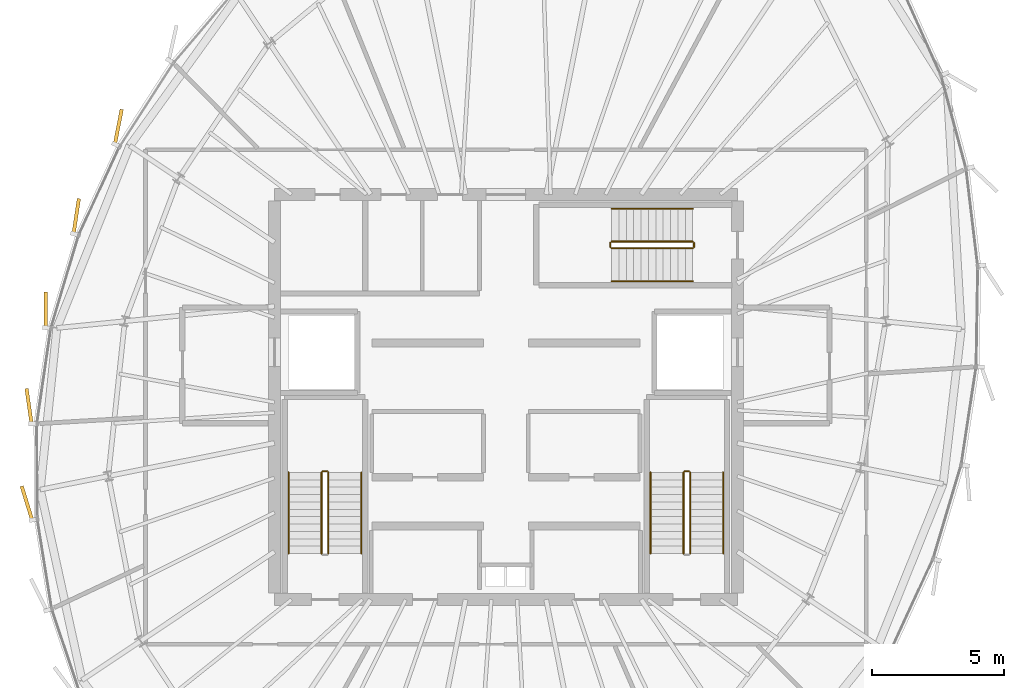
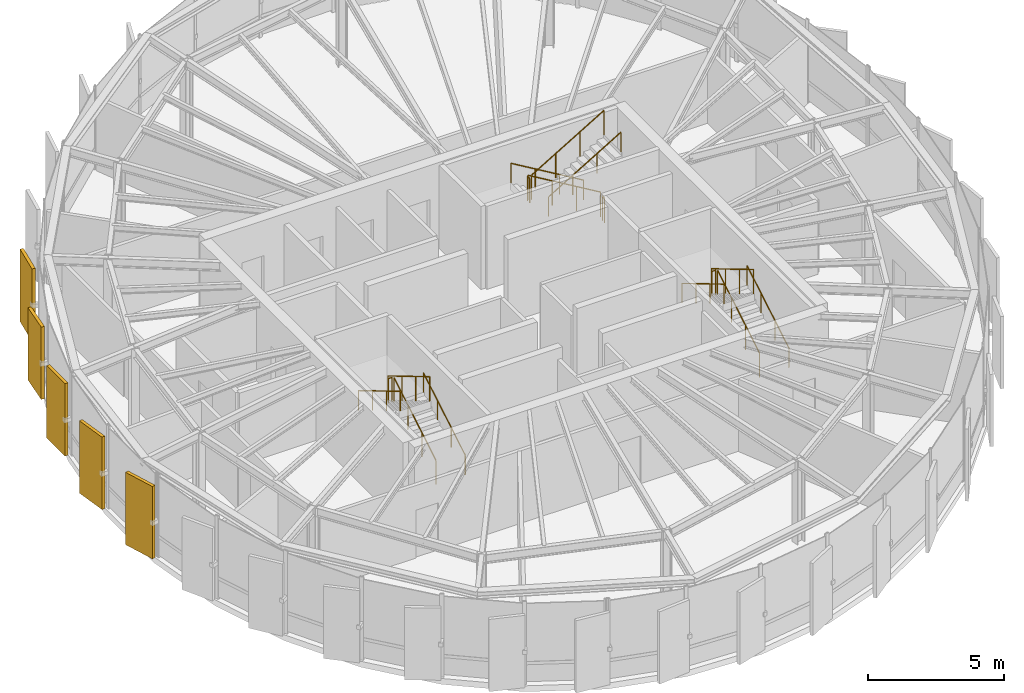
# One storey, part 26 of 27: 16 railings, 5 coverings.
"""IFC4 building model written with IfcOpenShell, lengths in metres."""

from ifc_helpers import new_model, si_unit, direction, frame, origin, origin_2d, place, context, subcontext, project, spatial, rectangle, circle, extrude, source, transform, mapped, material, layer, layer_set, type_object, element, save


model = new_model("IFC4")

# Units and contexts
model_context = context("Model", 3, precision=1e-05, world=origin(), true_north=direction((0.0, 1.0)))
body_context = subcontext(model_context, "Body", "Model", "MODEL_VIEW")
ifc_project = project(units=[si_unit("LENGTHUNIT", "METRE"), si_unit("AREAUNIT", "SQUARE_METRE"), si_unit("VOLUMEUNIT", "CUBIC_METRE"), si_unit("PLANEANGLEUNIT", "RADIAN"), si_unit("MASSUNIT", "GRAM", prefix="KILO"), si_unit("THERMODYNAMICTEMPERATUREUNIT", "KELVIN")], contexts=[model_context])

# Site, building, storey
site_placement = place(None, origin())
site = spatial("IfcSite", under=ifc_project, at=site_placement, CompositionType="ELEMENT")
building_placement = place(site_placement, origin())
building = spatial("IfcBuilding", under=site, at=building_placement, Name="Kethvar Cultural Tower", CompositionType="ELEMENT")
storey_placement = place(building_placement, frame((0.0, 0.0, 312.300048828125)))
storey = spatial("IfcBuildingStorey", under=building, at=storey_placement, Name="L83", CompositionType="ELEMENT", Elevation=312.300048828125)

# Railings
ifc_material_1 = material(Name="Steel S355J2", Category="steel")
railing_type_1 = type_object("IfcRailingType", Name="RL-STAIR-GUARD", PredefinedType="BALUSTRADE", material=ifc_material_1)
railing_1_placement = place(storey_placement, frame((40.050048828125, 21.85009765625, 0.16650390625)))
element("IfcRailing", 1, at=railing_1_placement, inside=storey, type_object=railing_type_1, Name="L83 ST-01 stair guard 1", PredefinedType="BALUSTRADE", context=body_context, shape_type="SweptSolid", body=[
    extrude(circle(Radius=0.02392578125, at=origin_2d()), frame((0.0, 0.0, 1.09619140625), z_axis=(0.0, 0.859260807169, 0.511537745687), x_axis=(-1.0, 0.0, 0.0)), (0.0, 0.0, 1.0), 3.584228515625),
    extrude(circle(Radius=0.02099609375, at=origin_2d()), origin(), (0.0, 0.0, 1.0), 1.072021484375),
    extrude(circle(Radius=0.02099609375, at=origin_2d()), frame((0.0, 1.026611328125, 0.611083984375)), (0.0, 0.0, 1.0), 1.072021484375),
    extrude(circle(Radius=0.02099609375, at=origin_2d()), frame((0.0, 2.05322265625, 1.222412109375)), (0.0, 0.0, 1.0), 1.072021484375),
    extrude(circle(Radius=0.02099609375, at=origin_2d()), frame((0.0, 3.079833984375, 1.83349609375)), (0.0, 0.0, 1.0), 1.072021484375),
])
railing_2_placement = place(storey_placement, frame((40.0, 24.97998046875, 2.0)))
element("IfcRailing", 2, at=railing_2_placement, inside=storey, type_object=railing_type_1, Name="L83 ST-01 stair guard 2", PredefinedType="BALUSTRADE", context=body_context, shape_type="SweptSolid", body=[
    extrude(circle(Radius=0.02392578125, at=origin_2d()), frame((0.0, 0.0, 1.09619140625), z_axis=(-1.0, 0.0, 0.0), x_axis=(0.0, -1.0, 0.0)), (0.0, 0.0, 1.0), 0.159912109375),
    extrude(circle(Radius=0.02099609375, at=origin_2d()), origin(), (0.0, 0.0, 1.0), 1.072021484375),
    extrude(circle(Radius=0.02099609375, at=origin_2d()), frame((-0.159912109375, 0.0, 0.0)), (0.0, 0.0, 1.0), 1.072021484375),
])
railing_3_placement = place(storey_placement, frame((39.7900390625, 24.929931640625, 2.16650390625)))
element("IfcRailing", 3, at=railing_3_placement, inside=storey, type_object=railing_type_1, Name="L83 ST-01 stair guard 3", PredefinedType="BALUSTRADE", context=body_context, shape_type="SweptSolid", body=[
    extrude(circle(Radius=0.02392578125, at=origin_2d()), frame((0.0, 0.0, 1.09619140625), z_axis=(0.0, -0.859260807169, 0.511537745687), x_axis=(1.0, 0.0, 0.0)), (0.0, 0.0, 1.0), 3.584228515625),
    extrude(circle(Radius=0.02099609375, at=origin_2d()), origin(), (0.0, 0.0, 1.0), 1.072021484375),
    extrude(circle(Radius=0.02099609375, at=origin_2d()), frame((0.0, -1.026611328125, 0.611083984375)), (0.0, 0.0, 1.0), 1.072021484375),
    extrude(circle(Radius=0.02099609375, at=origin_2d()), frame((0.0, -2.05322265625, 1.222412109375)), (0.0, 0.0, 1.0), 1.072021484375),
    extrude(circle(Radius=0.02099609375, at=origin_2d()), frame((0.0, -3.079833984375, 1.83349609375)), (0.0, 0.0, 1.0), 1.072021484375),
])
railing_4_placement = place(storey_placement, frame((53.81005859375, 21.85009765625, 0.16650390625)))
element("IfcRailing", 4, at=railing_4_placement, inside=storey, type_object=railing_type_1, Name="L83 ST-02 stair guard 1", PredefinedType="BALUSTRADE", context=body_context, shape_type="SweptSolid", body=[
    extrude(circle(Radius=0.02392578125, at=origin_2d()), frame((0.0, 0.0, 1.09619140625), z_axis=(0.0, 0.859260807169, 0.511537745687), x_axis=(-1.0, 0.0, 0.0)), (0.0, 0.0, 1.0), 3.584228515625),
    extrude(circle(Radius=0.02099609375, at=origin_2d()), origin(), (0.0, 0.0, 1.0), 1.072021484375),
    extrude(circle(Radius=0.02099609375, at=origin_2d()), frame((0.0, 1.026611328125, 0.611083984375)), (0.0, 0.0, 1.0), 1.072021484375),
    extrude(circle(Radius=0.02099609375, at=origin_2d()), frame((0.0, 2.05322265625, 1.222412109375)), (0.0, 0.0, 1.0), 1.072021484375),
    extrude(circle(Radius=0.02099609375, at=origin_2d()), frame((0.0, 3.079833984375, 1.83349609375)), (0.0, 0.0, 1.0), 1.072021484375),
])
railing_5_placement = place(storey_placement, frame((53.760009765625, 24.97998046875, 2.0)))
element("IfcRailing", 5, at=railing_5_placement, inside=storey, type_object=railing_type_1, Name="L83 ST-02 stair guard 2", PredefinedType="BALUSTRADE", context=body_context, shape_type="SweptSolid", body=[
    extrude(circle(Radius=0.02392578125, at=origin_2d()), frame((0.0, 0.0, 1.09619140625), z_axis=(-1.0, 0.0, 0.0), x_axis=(0.0, -1.0, 0.0)), (0.0, 0.0, 1.0), 0.159912109375),
    extrude(circle(Radius=0.02099609375, at=origin_2d()), origin(), (0.0, 0.0, 1.0), 1.072021484375),
    extrude(circle(Radius=0.02099609375, at=origin_2d()), frame((-0.159912109375, 0.0, 0.0)), (0.0, 0.0, 1.0), 1.072021484375),
])
railing_6_placement = place(storey_placement, frame((53.550048828125, 24.929931640625, 2.16650390625)))
element("IfcRailing", 6, at=railing_6_placement, inside=storey, type_object=railing_type_1, Name="L83 ST-02 stair guard 3", PredefinedType="BALUSTRADE", context=body_context, shape_type="SweptSolid", body=[
    extrude(circle(Radius=0.02392578125, at=origin_2d()), frame((0.0, 0.0, 1.09619140625), z_axis=(0.0, -0.859260807169, 0.511537745687), x_axis=(1.0, 0.0, 0.0)), (0.0, 0.0, 1.0), 3.584228515625),
    extrude(circle(Radius=0.02099609375, at=origin_2d()), origin(), (0.0, 0.0, 1.0), 1.072021484375),
    extrude(circle(Radius=0.02099609375, at=origin_2d()), frame((0.0, -1.026611328125, 0.611083984375)), (0.0, 0.0, 1.0), 1.072021484375),
    extrude(circle(Radius=0.02099609375, at=origin_2d()), frame((0.0, -2.05322265625, 1.222412109375)), (0.0, 0.0, 1.0), 1.072021484375),
    extrude(circle(Radius=0.02099609375, at=origin_2d()), frame((0.0, -3.079833984375, 1.83349609375)), (0.0, 0.0, 1.0), 1.072021484375),
])
railing_7_placement = place(storey_placement, frame((53.89990234375, 33.7099609375, 0.16650390625)))
element("IfcRailing", 7, at=railing_7_placement, inside=storey, type_object=railing_type_1, Name="L83 ST-03 stair guard 1", PredefinedType="BALUSTRADE", context=body_context, shape_type="SweptSolid", body=[
    extrude(circle(Radius=0.02392578125, at=origin_2d()), frame((0.0, 0.0, 1.09619140625), z_axis=(-0.859260807169, 0.0, 0.511537745687), x_axis=(0.0, -1.0, 0.0)), (0.0, 0.0, 1.0), 3.584228515625),
    extrude(circle(Radius=0.02099609375, at=origin_2d()), origin(), (0.0, 0.0, 1.0), 1.072021484375),
    extrude(circle(Radius=0.02099609375, at=origin_2d()), frame((-1.026611328125, 0.0, 0.611083984375)), (0.0, 0.0, 1.0), 1.072021484375),
    extrude(circle(Radius=0.02099609375, at=origin_2d()), frame((-2.05322265625, 0.0, 1.222412109375)), (0.0, 0.0, 1.0), 1.072021484375),
    extrude(circle(Radius=0.02099609375, at=origin_2d()), frame((-3.079833984375, 0.0, 1.83349609375)), (0.0, 0.0, 1.0), 1.072021484375),
])
railing_8_placement = place(storey_placement, frame((50.77001953125, 33.659912109375, 2.0)))
element("IfcRailing", 8, at=railing_8_placement, inside=storey, type_object=railing_type_1, Name="L83 ST-03 stair guard 2", PredefinedType="BALUSTRADE", context=body_context, shape_type="SweptSolid", body=[
    extrude(circle(Radius=0.02392578125, at=origin_2d()), frame((0.0, 0.0, 1.09619140625), z_axis=(0.0, -1.0, 0.0), x_axis=(1.0, 0.0, 0.0)), (0.0, 0.0, 1.0), 0.159912109375),
    extrude(circle(Radius=0.02099609375, at=origin_2d()), origin(), (0.0, 0.0, 1.0), 1.072021484375),
    extrude(circle(Radius=0.02099609375, at=origin_2d()), frame((0.0, -0.159912109375, 0.0)), (0.0, 0.0, 1.0), 1.072021484375),
])
railing_9_placement = place(storey_placement, frame((50.820068359375, 33.449951171875, 2.16650390625)))
element("IfcRailing", 9, at=railing_9_placement, inside=storey, type_object=railing_type_1, Name="L83 ST-03 stair guard 3", PredefinedType="BALUSTRADE", context=body_context, shape_type="SweptSolid", body=[
    extrude(circle(Radius=0.02392578125, at=origin_2d()), frame((0.0, 0.0, 1.09619140625), z_axis=(0.859260807169, 0.0, 0.511537745687), x_axis=(0.0, 1.0, 0.0)), (0.0, 0.0, 1.0), 3.584228515625),
    extrude(circle(Radius=0.02099609375, at=origin_2d()), origin(), (0.0, 0.0, 1.0), 1.072021484375),
    extrude(circle(Radius=0.02099609375, at=origin_2d()), frame((1.026611328125, 0.0, 0.611083984375)), (0.0, 0.0, 1.0), 1.072021484375),
    extrude(circle(Radius=0.02099609375, at=origin_2d()), frame((2.05322265625, 0.0, 1.222412109375)), (0.0, 0.0, 1.0), 1.072021484375),
    extrude(circle(Radius=0.02099609375, at=origin_2d()), frame((3.079833984375, 0.0, 1.83349609375)), (0.0, 0.0, 1.0), 1.072021484375),
])
railing_10_placement = place(storey_placement, frame((53.949951171875, 33.659912109375, 0.0)))
element("IfcRailing", 10, at=railing_10_placement, inside=storey, type_object=railing_type_1, Name="L83 ST-03 stair guard 4", PredefinedType="BALUSTRADE", context=body_context, shape_type="SweptSolid", body=[
    extrude(circle(Radius=0.02392578125, at=origin_2d()), frame((0.0, 0.0, 1.09619140625), z_axis=(0.0, -1.0, 0.0), x_axis=(1.0, 0.0, 0.0)), (0.0, 0.0, 1.0), 0.159912109375),
    extrude(circle(Radius=0.02099609375, at=origin_2d()), origin(), (0.0, 0.0, 1.0), 1.072021484375),
    extrude(circle(Radius=0.02099609375, at=origin_2d()), frame((0.0, -0.159912109375, 0.0)), (0.0, 0.0, 1.0), 1.072021484375),
])
railing_type_2 = type_object("IfcRailingType", Name="RL-STAIR-HANDRAIL", PredefinedType="HANDRAIL", material=ifc_material_1)
railing_11_placement = place(storey_placement, frame((41.300048828125, 21.85009765625, 0.16650390625)))
element("IfcRailing", 11, at=railing_11_placement, inside=storey, type_object=railing_type_2, Name="L83 ST-01 stair handrail 1", PredefinedType="HANDRAIL", context=body_context, shape_type="SweptSolid", body=[
    extrude(circle(Radius=0.02392578125, at=origin_2d()), frame((0.0, 0.0, 0.8759765625), z_axis=(0.0, 0.859260807169, 0.511537745687), x_axis=(-1.0, 0.0, 0.0)), (0.0, 0.0, 1.0), 3.584228515625),
    extrude(circle(Radius=0.02099609375, at=origin_2d()), origin(), (0.0, 0.0, 1.0), 0.851806640625),
    extrude(circle(Radius=0.02099609375, at=origin_2d()), frame((0.0, 1.026611328125, 0.611083984375)), (0.0, 0.0, 1.0), 0.851806640625),
    extrude(circle(Radius=0.02099609375, at=origin_2d()), frame((0.0, 2.05322265625, 1.222412109375)), (0.0, 0.0, 1.0), 0.851806640625),
    extrude(circle(Radius=0.02099609375, at=origin_2d()), frame((0.0, 3.079833984375, 1.83349609375)), (0.0, 0.0, 1.0), 0.851806640625),
])
railing_12_placement = place(storey_placement, frame((38.5400390625, 24.929931640625, 2.16650390625)))
element("IfcRailing", 12, at=railing_12_placement, inside=storey, type_object=railing_type_2, Name="L83 ST-01 stair handrail 2", PredefinedType="HANDRAIL", context=body_context, shape_type="SweptSolid", body=[
    extrude(circle(Radius=0.02392578125, at=origin_2d()), frame((0.0, 0.0, 0.8759765625), z_axis=(0.0, -0.859260807169, 0.511537745687), x_axis=(1.0, 0.0, 0.0)), (0.0, 0.0, 1.0), 3.584228515625),
    extrude(circle(Radius=0.02099609375, at=origin_2d()), origin(), (0.0, 0.0, 1.0), 0.851806640625),
    extrude(circle(Radius=0.02099609375, at=origin_2d()), frame((0.0, -1.026611328125, 0.611083984375)), (0.0, 0.0, 1.0), 0.851806640625),
    extrude(circle(Radius=0.02099609375, at=origin_2d()), frame((0.0, -2.05322265625, 1.222412109375)), (0.0, 0.0, 1.0), 0.851806640625),
    extrude(circle(Radius=0.02099609375, at=origin_2d()), frame((0.0, -3.079833984375, 1.83349609375)), (0.0, 0.0, 1.0), 0.851806640625),
])
railing_13_placement = place(storey_placement, frame((55.06005859375, 21.85009765625, 0.16650390625)))
element("IfcRailing", 13, at=railing_13_placement, inside=storey, type_object=railing_type_2, Name="L83 ST-02 stair handrail 1", PredefinedType="HANDRAIL", context=body_context, shape_type="SweptSolid", body=[
    extrude(circle(Radius=0.02392578125, at=origin_2d()), frame((0.0, 0.0, 0.8759765625), z_axis=(0.0, 0.859260807169, 0.511537745687), x_axis=(-1.0, 0.0, 0.0)), (0.0, 0.0, 1.0), 3.584228515625),
    extrude(circle(Radius=0.02099609375, at=origin_2d()), origin(), (0.0, 0.0, 1.0), 0.851806640625),
    extrude(circle(Radius=0.02099609375, at=origin_2d()), frame((0.0, 1.026611328125, 0.611083984375)), (0.0, 0.0, 1.0), 0.851806640625),
    extrude(circle(Radius=0.02099609375, at=origin_2d()), frame((0.0, 2.05322265625, 1.222412109375)), (0.0, 0.0, 1.0), 0.851806640625),
    extrude(circle(Radius=0.02099609375, at=origin_2d()), frame((0.0, 3.079833984375, 1.83349609375)), (0.0, 0.0, 1.0), 0.851806640625),
])
railing_14_placement = place(storey_placement, frame((52.300048828125, 24.929931640625, 2.16650390625)))
element("IfcRailing", 14, at=railing_14_placement, inside=storey, type_object=railing_type_2, Name="L83 ST-02 stair handrail 2", PredefinedType="HANDRAIL", context=body_context, shape_type="SweptSolid", body=[
    extrude(circle(Radius=0.02392578125, at=origin_2d()), frame((0.0, 0.0, 0.8759765625), z_axis=(0.0, -0.859260807169, 0.511537745687), x_axis=(1.0, 0.0, 0.0)), (0.0, 0.0, 1.0), 3.584228515625),
    extrude(circle(Radius=0.02099609375, at=origin_2d()), origin(), (0.0, 0.0, 1.0), 0.851806640625),
    extrude(circle(Radius=0.02099609375, at=origin_2d()), frame((0.0, -1.026611328125, 0.611083984375)), (0.0, 0.0, 1.0), 0.851806640625),
    extrude(circle(Radius=0.02099609375, at=origin_2d()), frame((0.0, -2.05322265625, 1.222412109375)), (0.0, 0.0, 1.0), 0.851806640625),
    extrude(circle(Radius=0.02099609375, at=origin_2d()), frame((0.0, -3.079833984375, 1.83349609375)), (0.0, 0.0, 1.0), 0.851806640625),
])
railing_15_placement = place(storey_placement, frame((53.89990234375, 34.9599609375, 0.16650390625)))
element("IfcRailing", 15, at=railing_15_placement, inside=storey, type_object=railing_type_2, Name="L83 ST-03 stair handrail 1", PredefinedType="HANDRAIL", context=body_context, shape_type="SweptSolid", body=[
    extrude(circle(Radius=0.02392578125, at=origin_2d()), frame((0.0, 0.0, 0.8759765625), z_axis=(-0.859260807169, 0.0, 0.511537745687), x_axis=(0.0, -1.0, 0.0)), (0.0, 0.0, 1.0), 3.584228515625),
    extrude(circle(Radius=0.02099609375, at=origin_2d()), origin(), (0.0, 0.0, 1.0), 0.851806640625),
    extrude(circle(Radius=0.02099609375, at=origin_2d()), frame((-1.026611328125, 0.0, 0.611083984375)), (0.0, 0.0, 1.0), 0.851806640625),
    extrude(circle(Radius=0.02099609375, at=origin_2d()), frame((-2.05322265625, 0.0, 1.222412109375)), (0.0, 0.0, 1.0), 0.851806640625),
    extrude(circle(Radius=0.02099609375, at=origin_2d()), frame((-3.079833984375, 0.0, 1.83349609375)), (0.0, 0.0, 1.0), 0.851806640625),
])
railing_16_placement = place(storey_placement, frame((50.820068359375, 32.199951171875, 2.16650390625)))
element("IfcRailing", 16, at=railing_16_placement, inside=storey, type_object=railing_type_2, Name="L83 ST-03 stair handrail 2", PredefinedType="HANDRAIL", context=body_context, shape_type="SweptSolid", body=[
    extrude(circle(Radius=0.02392578125, at=origin_2d()), frame((0.0, 0.0, 0.8759765625), z_axis=(0.859260807169, 0.0, 0.511537745687), x_axis=(0.0, 1.0, 0.0)), (0.0, 0.0, 1.0), 3.584228515625),
    extrude(circle(Radius=0.02099609375, at=origin_2d()), origin(), (0.0, 0.0, 1.0), 0.851806640625),
    extrude(circle(Radius=0.02099609375, at=origin_2d()), frame((1.026611328125, 0.0, 0.611083984375)), (0.0, 0.0, 1.0), 0.851806640625),
    extrude(circle(Radius=0.02099609375, at=origin_2d()), frame((2.05322265625, 0.0, 1.222412109375)), (0.0, 0.0, 1.0), 0.851806640625),
    extrude(circle(Radius=0.02099609375, at=origin_2d()), frame((3.079833984375, 0.0, 1.83349609375)), (0.0, 0.0, 1.0), 0.851806640625),
])

# Coverings
ifc_material_2 = material(Name="Extruded Architectural Terracotta", Category="masonry")
ifc_layer = layer(ifc_material_2, 0.135009765625, Name="Extruded Architectural Terracotta", Category="masonry")
ifc_layer_set = layer_set([ifc_layer], Name="Extruded Architectural Terracotta (135 mm)")
covering_type = type_object("IfcCoveringType", Name="Terracotta Facade Fin FIN-03", PredefinedType="CLADDING", material=ifc_layer_set)
shared_shape = source(origin(), body_context, "Body", "SweptSolid", [
    extrude(rectangle(XDim=1.35009765625, YDim=0.135009765625, at=origin_2d()), origin(), (0.0, 0.0, 1.0), 3.25),
])
for number, where, z_axis, x_axis, name in (
    (17, (32.064208984375, 38.07275390625, 0.02001953125), (0.0, 0.0, 1.0), (0.191665553932, 0.981460297432, 0.0), "L83 Vertical Terracotta Fin 2.3"),
    (18, (30.464599609375, 34.672119140625, 0.02001953125), (0.0, 0.0, 1.0), (0.149362770624, 0.988782464828, 0.0), "L83 Vertical Terracotta Fin 2.4"),
    (19, (29.30419921875, 31.109130859375, 0.02001953125), (0.0, 0.0, 1.0), (0.005410494284, 0.999985363169, 0.0), "L83 Vertical Terracotta Fin 2.5"),
    (20, (28.67138671875, 27.451416015625, 0.02001953125), (0.0, 0.0, 1.0), (-0.142974422091, 0.989726383718, 0.0), "L83 Vertical Terracotta Fin 2.6"),
    (21, (28.590576171875, 23.76611328125, 0.02001953125), (0.0, 0.0, 1.0), (-0.295041067928, 0.955484572474, 0.0), "L83 Vertical Terracotta Fin 3.1"),
):
    element("IfcCovering", number, at=place(storey_placement, frame(where, z_axis=z_axis, x_axis=x_axis)), inside=storey, type_object=covering_type, Name=name, PredefinedType="CLADDING", context=body_context, shape_type="MappedRepresentation", body=[
        mapped(shared_shape, transform((0.0, 0.0, 0.0), scale=1.0)),
    ])

save(model, "model.ifc")
